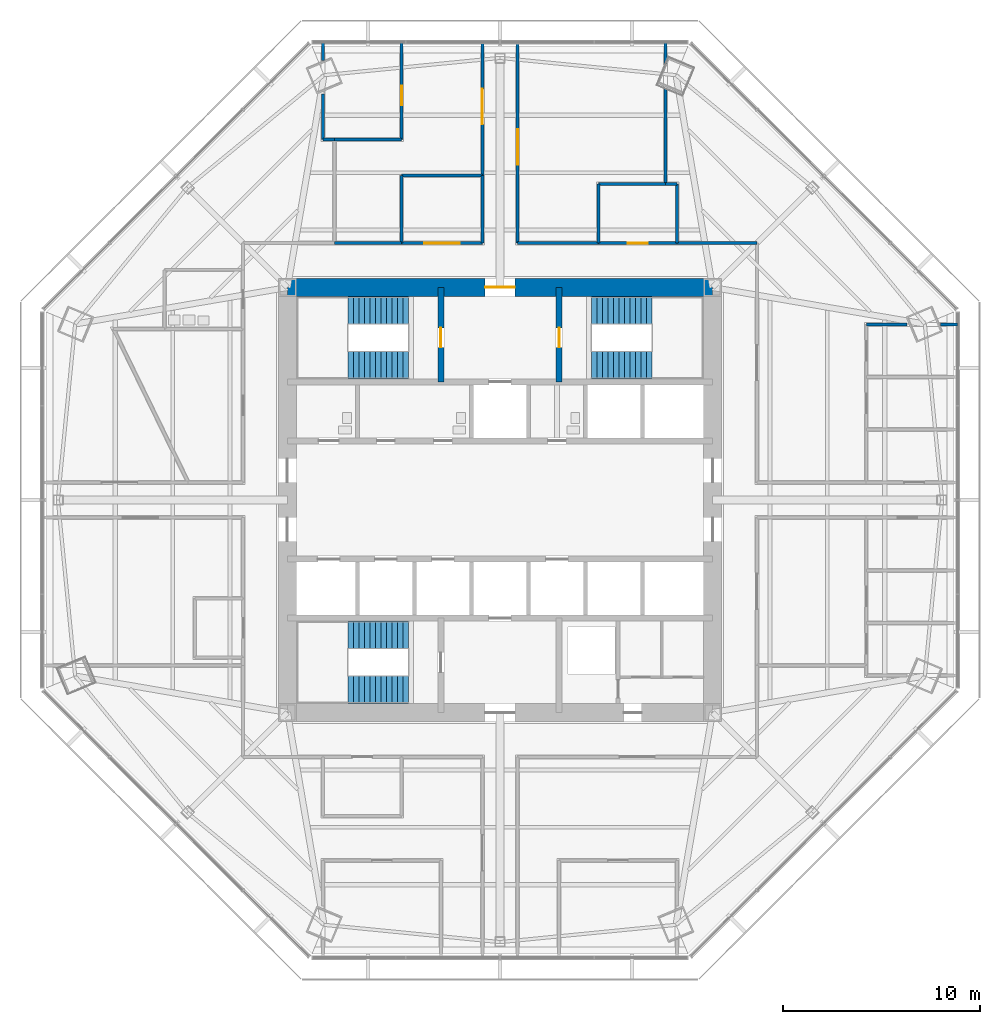
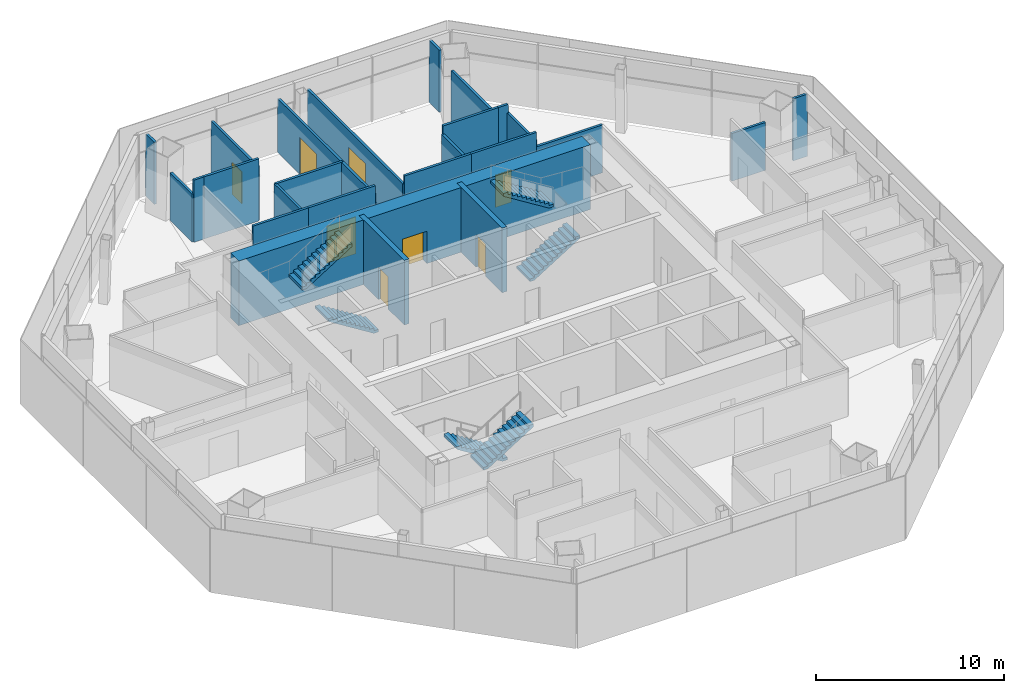
# One storey, part 11 of 15: 26 walls, 8 doors, 6 stair flights, 8 openings, 3 elements without a shape of their own.
"""IFC4 building model written with IfcOpenShell, lengths in metres."""

from ifc_helpers import new_model, si_unit, direction, frame, frame_2d, origin, place, context, subcontext, project, spatial, polyline, rectangle, outline, extrude, material, layer, layer_set, type_object, element, fill, aggregate, save


model = new_model("IFC4")

# Units and contexts
model_context = context("Model", 3, precision=1e-05, world=origin(), true_north=direction((0.0, 1.0)))
body_context = subcontext(model_context, "Body", "Model", "MODEL_VIEW")
ifc_project = project(units=[si_unit("LENGTHUNIT", "METRE"), si_unit("AREAUNIT", "SQUARE_METRE"), si_unit("VOLUMEUNIT", "CUBIC_METRE"), si_unit("PLANEANGLEUNIT", "RADIAN"), si_unit("MASSUNIT", "GRAM", prefix="KILO")], contexts=[model_context])

# Site, building, storey
site_placement = place(None, origin())
site = spatial("IfcSite", under=ifc_project, at=site_placement, CompositionType="ELEMENT")
building_placement = place(site_placement, origin())
building = spatial("IfcBuilding", under=site, at=building_placement, Name="Mashrafa Tower", CompositionType="ELEMENT")
storey_placement = place(building_placement, frame((0.0, 0.0, 168.0)))
storey = spatial("IfcBuildingStorey", under=building, at=storey_placement, Name="L38", CompositionType="ELEMENT", Elevation=168.0)

# Wall, opening, door
ifc_material_1 = material(Name="Concrete C60/75", Category="concrete")
ifc_layer_1 = layer(ifc_material_1, 0.300048828125)
ifc_layer_set_1 = layer_set([ifc_layer_1], Name="Core wall 300 C60/75")
wall_type_1 = type_object("IfcWallType", Name="Core wall 300 C60/75", PredefinedType="SOLIDWALL", material=ifc_layer_set_1)
wall_1_placement = place(storey_placement, frame((-3.0, 6.0, 0.0), z_axis=(0.0, 0.0, 1.0), x_axis=(0.0, 1.0, 0.0)))
wall_1 = element("IfcWall", 1, at=wall_1_placement, inside=storey, type_object=wall_type_1, Name="Core wall CX-NW L38", PredefinedType="SOLIDWALL", context=body_context, shape_type="SweptSolid", body=[
    extrude(rectangle(XDim=4.800048828125, YDim=0.300048828125, at=frame_2d((2.39990234375, 0.0))), origin(), (0.0, 0.0, 1.0), 4.199951171875),
])
opening_1_placement = place(wall_1_placement, frame((1.75, 0.0, 0.0)))
opening_1 = element("IfcOpeningElement", 2, at=opening_1_placement, cuts=wall_1, Name="Opening 38.030", PredefinedType="OPENING", context=body_context, shape_type="SweptSolid", body=[
    extrude(rectangle(XDim=1.0, YDim=2.10009765625, at=frame_2d((0.5, 1.050048828125))), frame((0.0, 0.159912109375, 0.0), z_axis=(0.0, -1.0, 0.0), x_axis=(1.0, 0.0, 0.0)), (0.0, 0.0, 1.0), 0.320068359375),
])
ifc_material_2 = material(Name="Steel door", Category="steel")
door_type_1 = type_object("IfcDoorType", Name="Stair door 1000 x 2100 90 min", OperationType="USERDEFINED", PredefinedType="DOOR", material=ifc_material_2)
door_1_placement = place(opening_1_placement, origin())
door_1 = element("IfcDoor", 3, at=door_1_placement, inside=storey, type_object=door_type_1, Name="Stair S1 door L38", OperationType="SINGLE_SWING_LEFT", OverallHeight=2.10009765625, OverallWidth=1.0, PredefinedType="DOOR", context=body_context, shape_type="SweptSolid", body=[
    extrude(rectangle(XDim=1.0, YDim=2.10009765625, at=frame_2d((0.5, 1.050048828125))), frame((0.0, 0.02490234375, 0.0), z_axis=(0.0, -1.0, 0.0), x_axis=(1.0, 0.0, 0.0)), (0.0, 0.0, 1.0), 0.050048828125),
])
fill(opening_1, door_1)

wall_2_placement = place(storey_placement, frame((3.0, 6.0, 0.0), z_axis=(0.0, 0.0, 1.0), x_axis=(0.0, 1.0, 0.0)))
wall_2 = element("IfcWall", 4, at=wall_2_placement, inside=storey, type_object=wall_type_1, Name="Core wall CX-NE L38", PredefinedType="SOLIDWALL", context=body_context, shape_type="SweptSolid", body=[
    extrude(rectangle(XDim=4.800048828125, YDim=0.300048828125, at=frame_2d((2.39990234375, 0.0))), origin(), (0.0, 0.0, 1.0), 4.199951171875),
])
opening_2_placement = place(wall_2_placement, frame((1.75, 0.0, 0.0)))
opening_2 = element("IfcOpeningElement", 5, at=opening_2_placement, cuts=wall_2, Name="Opening 38.031", PredefinedType="OPENING", context=body_context, shape_type="SweptSolid", body=[
    extrude(rectangle(XDim=1.0, YDim=2.10009765625, at=frame_2d((0.5, 1.050048828125))), frame((0.0, 0.159912109375, 0.0), z_axis=(0.0, -1.0, 0.0), x_axis=(1.0, 0.0, 0.0)), (0.0, 0.0, 1.0), 0.320068359375),
])
door_2_placement = place(opening_2_placement, frame((1.0, 0.0, 0.0), z_axis=(0.0, 0.0, 1.0), x_axis=(-1.0, 0.0, 0.0)))
door_2 = element("IfcDoor", 6, at=door_2_placement, inside=storey, type_object=door_type_1, Name="Stair S2 door L38", OperationType="SINGLE_SWING_RIGHT", OverallHeight=2.10009765625, OverallWidth=1.0, PredefinedType="DOOR", context=body_context, shape_type="SweptSolid", body=[
    extrude(rectangle(XDim=1.0, YDim=2.10009765625, at=frame_2d((0.5, 1.050048828125))), frame((0.0, 0.02490234375, 0.0), z_axis=(0.0, -1.0, 0.0), x_axis=(1.0, 0.0, 0.0)), (0.0, 0.0, 1.0), 0.050048828125),
])
fill(opening_2, door_2)

ifc_material_3 = material(Name="Concrete C60/75", Category="concrete")
ifc_layer_2 = layer(ifc_material_3, 0.89990234375)
ifc_layer_set_2 = layer_set([ifc_layer_2], Name="Core wall 900 C60/75")
wall_type_2 = type_object("IfcWallType", Name="Core wall 900 C60/75", PredefinedType="SOLIDWALL", material=ifc_layer_set_2)
wall_3_placement = place(storey_placement, frame((10.800048828125, 10.800048828125, 0.0), z_axis=(0.0, 0.0, 1.0), x_axis=(-1.0, 0.0, 0.0)))
wall_3 = element("IfcWall", 7, at=wall_3_placement, inside=storey, type_object=wall_type_2, Name="Core wall CW-N L38", PredefinedType="SOLIDWALL", context=body_context, shape_type="SweptSolid", body=[
    extrude(rectangle(XDim=21.60009765625, YDim=0.89990234375, at=frame_2d((10.800048828125, 0.0))), origin(), (0.0, 0.0, 1.0), 4.199951171875),
])
opening_3_placement = place(wall_3_placement, frame((10.050048828125, 0.0, 0.0)))
opening_3 = element("IfcOpeningElement", 8, at=opening_3_placement, cuts=wall_3, Name="Opening 38.028", PredefinedType="OPENING", context=body_context, shape_type="SweptSolid", body=[
    extrude(rectangle(XDim=1.5, YDim=2.10009765625, at=frame_2d((0.75, 1.050048828125))), frame((0.0, 0.4599609375, 0.0), z_axis=(0.0, -1.0, 0.0), x_axis=(1.0, 0.0, 0.0)), (0.0, 0.0, 1.0), 0.919921875),
])
ifc_material_4 = material(Name="Steel door", Category="steel")
door_type_2 = type_object("IfcDoorType", Name="Lobby door pair 1500 x 2100 90 min", OperationType="DOUBLE_DOOR_SINGLE_SWING", PredefinedType="DOOR", material=ifc_material_4)
door_3_placement = place(opening_3_placement, origin())
door_3 = element("IfcDoor", 9, at=door_3_placement, inside=storey, type_object=door_type_2, Name="Fire-fighting lobby F1 door L38", OperationType="DOUBLE_DOOR_SINGLE_SWING", OverallHeight=2.10009765625, OverallWidth=1.5, PredefinedType="DOOR", context=body_context, shape_type="SweptSolid", body=[
    extrude(rectangle(XDim=1.5, YDim=2.10009765625, at=frame_2d((0.75, 1.050048828125))), frame((0.0, 0.02490234375, 0.0), z_axis=(0.0, -1.0, 0.0), x_axis=(1.0, 0.0, 0.0)), (0.0, 0.0, 1.0), 0.050048828125),
])
fill(opening_3, door_3)

# Wall
ifc_material_5 = material(Name="Gypsum board on steel studs", Category="steel")
ifc_layer_3 = layer(ifc_material_5, 0.14990234375)
ifc_layer_set_3 = layer_set([ifc_layer_3], Name="Corridor partition 150 1 hr")
wall_type_3 = type_object("IfcWallType", Name="Corridor partition 150 1 hr", PredefinedType="PARTITIONING", material=ifc_layer_set_3)
wall_4_placement = place(storey_placement, frame((-0.89990234375, 16.5009765625, 0.0), z_axis=(0.0, 0.0, 1.0), x_axis=(0.0, -1.0, 0.0)))
element("IfcWall", 10, at=wall_4_placement, inside=storey, type_object=wall_type_3, Name="Corridor wall L38-004", PredefinedType="PARTITIONING", context=body_context, shape_type="SweptSolid", body=[
    extrude(rectangle(XDim=3.450927734375, YDim=0.14990234375, at=frame_2d((1.7255859375, 0.0))), origin(), (0.0, 0.0, 1.0), 3.49169921875),
])

# Wall, opening, door
wall_5_placement = place(storey_placement, frame((-0.89990234375, 13.050048828125, 0.0), z_axis=(0.0, 0.0, 1.0), x_axis=(-1.0, 0.0, 0.0)))
wall_5 = element("IfcWall", 11, at=wall_5_placement, inside=storey, type_object=wall_type_3, Name="Corridor wall L38-005", PredefinedType="PARTITIONING", context=body_context, shape_type="SweptSolid", body=[
    extrude(rectangle(XDim=4.10107421875, YDim=0.14990234375, at=frame_2d((2.050537109375, 0.0))), origin(), (0.0, 0.0, 1.0), 4.034912109375),
])
opening_4_placement = place(wall_5_placement, frame((1.150390625, 0.0, 0.0)))
opening_4 = element("IfcOpeningElement", 12, at=opening_4_placement, cuts=wall_5, Name="Opening 38.003", PredefinedType="OPENING", context=body_context, shape_type="SweptSolid", body=[
    extrude(rectangle(XDim=1.800048828125, YDim=2.39990234375, at=frame_2d((0.89990234375, 1.199951171875))), frame((0.0, 0.0849609375, 0.0), z_axis=(0.0, -1.0, 0.0), x_axis=(1.0, 0.0, 0.0)), (0.0, 0.0, 1.0), 0.169921875),
])
ifc_material_6 = material(Name="Steel door", Category="steel")
door_type_3 = type_object("IfcDoorType", Name="Door pair 1800 x 2400 90 min", OperationType="DOUBLE_DOOR_SINGLE_SWING", PredefinedType="DOOR", material=ifc_material_6)
door_4_placement = place(opening_4_placement, origin())
door_4 = element("IfcDoor", 13, at=door_4_placement, inside=storey, type_object=door_type_3, Name="Reception 38-1 door", OperationType="DOUBLE_DOOR_SINGLE_SWING", OverallHeight=2.39990234375, OverallWidth=1.800048828125, PredefinedType="DOOR", context=body_context, shape_type="SweptSolid", body=[
    extrude(rectangle(XDim=1.800048828125, YDim=2.39990234375, at=frame_2d((0.89990234375, 1.199951171875))), frame((0.0, 0.02490234375, 0.0), z_axis=(0.0, -1.0, 0.0), x_axis=(1.0, 0.0, 0.0)), (0.0, 0.0, 1.0), 0.050048828125),
])
fill(opening_4, door_4)

wall_6_placement = place(storey_placement, frame((9.0009765625, 13.050048828125, 0.0), z_axis=(0.0, 0.0, 1.0), x_axis=(-1.0, 0.0, 0.0)))
wall_6 = element("IfcWall", 14, at=wall_6_placement, inside=storey, type_object=wall_type_3, Name="Corridor wall L38-006", PredefinedType="PARTITIONING", context=body_context, shape_type="SweptSolid", body=[
    extrude(rectangle(XDim=4.001953125, YDim=0.14990234375, at=frame_2d((2.0009765625, 0.0))), origin(), (0.0, 0.0, 1.0), 4.034912109375),
])
opening_5_placement = place(wall_6_placement, frame((1.5009765625, 0.0, 0.0)))
opening_5 = element("IfcOpeningElement", 15, at=opening_5_placement, cuts=wall_6, Name="Opening 38.005", PredefinedType="OPENING", context=body_context, shape_type="SweptSolid", body=[
    extrude(rectangle(XDim=1.0, YDim=2.10009765625, at=frame_2d((0.5, 1.050048828125))), frame((0.0, 0.0849609375, 0.0), z_axis=(0.0, -1.0, 0.0), x_axis=(1.0, 0.0, 0.0)), (0.0, 0.0, 1.0), 0.169921875),
])
ifc_material_7 = material(Name="Timber door", Category="wood")
door_type_4 = type_object("IfcDoorType", Name="Door 1000 x 2100", OperationType="USERDEFINED", PredefinedType="DOOR", material=ifc_material_7)
door_5_placement = place(opening_5_placement, frame((1.0, 0.0, 0.0), z_axis=(0.0, 0.0, 1.0), x_axis=(-1.0, 0.0, 0.0)))
door_5 = element("IfcDoor", 16, at=door_5_placement, inside=storey, type_object=door_type_4, Name="Pantry 38-1 door", OperationType="SINGLE_SWING_RIGHT", OverallHeight=2.10009765625, OverallWidth=1.0, PredefinedType="DOOR", context=body_context, shape_type="SweptSolid", body=[
    extrude(rectangle(XDim=1.0, YDim=2.10009765625, at=frame_2d((0.5, 1.050048828125))), frame((0.0, 0.02490234375, 0.0), z_axis=(0.0, -1.0, 0.0), x_axis=(1.0, 0.0, 0.0)), (0.0, 0.0, 1.0), 0.050048828125),
])
fill(opening_5, door_5)

# Walls
wall_7_placement = place(storey_placement, frame((13.050048828125, 13.050048828125, 0.0), z_axis=(0.0, 0.0, 1.0), x_axis=(-1.0, 0.0, 0.0)))
element("IfcWall", 17, at=wall_7_placement, inside=storey, type_object=wall_type_3, Name="Corridor wall L38-013", PredefinedType="PARTITIONING", context=body_context, shape_type="SweptSolid", body=[
    extrude(rectangle(XDim=4.051025390625, YDim=0.14990234375, at=frame_2d((2.025390625, 0.0))), origin(), (0.0, 0.0, 1.0), 3.097900390625),
])
wall_8_placement = place(storey_placement, frame((5.0009765625, 13.050048828125, 0.0), z_axis=(0.0, 0.0, 1.0), x_axis=(-1.0, 0.0, 0.0)))
element("IfcWall", 18, at=wall_8_placement, inside=storey, type_object=wall_type_3, Name="Corridor wall L38-014", PredefinedType="PARTITIONING", context=body_context, shape_type="SweptSolid", body=[
    extrude(rectangle(XDim=4.10107421875, YDim=0.14990234375, at=frame_2d((2.050537109375, 0.0))), origin(), (0.0, 0.0, 1.0), 4.034912109375),
])

# Wall, opening, door
wall_9_placement = place(storey_placement, frame((0.89990234375, 13.050048828125, 0.0), z_axis=(0.0, 0.0, 1.0), x_axis=(0.0, 1.0, 0.0)))
wall_9 = element("IfcWall", 19, at=wall_9_placement, inside=storey, type_object=wall_type_3, Name="Corridor wall L38-015", PredefinedType="PARTITIONING", context=body_context, shape_type="SweptSolid", body=[
    extrude(rectangle(XDim=10.196044921875, YDim=0.14990234375, at=frame_2d((5.09814453125, 0.0))), origin(), (0.0, 0.0, 1.0), 3.49169921875),
])
opening_6_placement = place(wall_9_placement, frame((3.981201171875, 0.0, 0.0)))
opening_6 = element("IfcOpeningElement", 20, at=opening_6_placement, cuts=wall_9, Name="Opening 38.017", PredefinedType="OPENING", context=body_context, shape_type="SweptSolid", body=[
    extrude(rectangle(XDim=1.800048828125, YDim=2.39990234375, at=frame_2d((0.89990234375, 1.199951171875))), frame((0.0, 0.0849609375, 0.0), z_axis=(0.0, -1.0, 0.0), x_axis=(1.0, 0.0, 0.0)), (0.0, 0.0, 1.0), 0.169921875),
])
ifc_material_8 = material(Name="Timber door", Category="wood")
door_type_5 = type_object("IfcDoorType", Name="Door pair 1800 x 2400", OperationType="DOUBLE_DOOR_SINGLE_SWING", PredefinedType="DOOR", material=ifc_material_8)
door_6_placement = place(opening_6_placement, frame((1.800048828125, 0.0, 0.0), z_axis=(0.0, 0.0, 1.0), x_axis=(-1.0, 0.0, 0.0)))
door_6 = element("IfcDoor", 21, at=door_6_placement, inside=storey, type_object=door_type_5, Name="Office Tenancy 38-2-NE2 door", OperationType="DOUBLE_DOOR_SINGLE_SWING", OverallHeight=2.39990234375, OverallWidth=1.800048828125, PredefinedType="DOOR", context=body_context, shape_type="SweptSolid", body=[
    extrude(rectangle(XDim=1.800048828125, YDim=2.39990234375, at=frame_2d((0.89990234375, 1.199951171875))), frame((0.0, 0.02490234375, 0.0), z_axis=(0.0, -1.0, 0.0), x_axis=(1.0, 0.0, 0.0)), (0.0, 0.0, 1.0), 0.050048828125),
])
fill(opening_6, door_6)

# Wall
wall_10_placement = place(storey_placement, frame((-4.9990234375, 13.050048828125, 0.0), z_axis=(0.0, 0.0, 1.0), x_axis=(-1.0, 0.0, 0.0)))
element("IfcWall", 22, at=wall_10_placement, inside=storey, type_object=wall_type_3, Name="Corridor wall L38-019", PredefinedType="PARTITIONING", context=body_context, shape_type="SweptSolid", body=[
    extrude(rectangle(XDim=3.40185546875, YDim=0.14990234375, at=frame_2d((1.700927734375, 0.0))), origin(), (0.0, 0.0, 1.0), 4.034912109375),
])

# Wall, opening, door
wall_11_placement = place(storey_placement, frame((-0.89990234375, 23.24609375, 0.0), z_axis=(0.0, 0.0, 1.0), x_axis=(0.0, -1.0, 0.0)))
wall_11 = element("IfcWall", 23, at=wall_11_placement, inside=storey, type_object=wall_type_3, Name="Corridor wall L38-020", PredefinedType="PARTITIONING", context=body_context, shape_type="SweptSolid", body=[
    extrude(rectangle(XDim=6.7470703125, YDim=0.14990234375, at=frame_2d((3.37353515625, 0.0))), origin(), (0.0, 0.0, 1.0), 3.49169921875),
])
opening_7_placement = place(wall_11_placement, frame((2.355712890625, 0.0, 0.0)))
opening_7 = element("IfcOpeningElement", 24, at=opening_7_placement, cuts=wall_11, Name="Opening 38.019", PredefinedType="OPENING", context=body_context, shape_type="SweptSolid", body=[
    extrude(rectangle(XDim=1.800048828125, YDim=2.39990234375, at=frame_2d((0.89990234375, 1.199951171875))), frame((0.0, 0.0849609375, 0.0), z_axis=(0.0, -1.0, 0.0), x_axis=(1.0, 0.0, 0.0)), (0.0, 0.0, 1.0), 0.169921875),
])
door_7_placement = place(opening_7_placement, frame((1.800048828125, 0.0, 0.0), z_axis=(0.0, 0.0, 1.0), x_axis=(-1.0, 0.0, 0.0)))
door_7 = element("IfcDoor", 25, at=door_7_placement, inside=storey, type_object=door_type_5, Name="Office Tenancy 38-1-NW2 door", OperationType="DOUBLE_DOOR_SINGLE_SWING", OverallHeight=2.39990234375, OverallWidth=1.800048828125, PredefinedType="DOOR", context=body_context, shape_type="SweptSolid", body=[
    extrude(rectangle(XDim=1.800048828125, YDim=2.39990234375, at=frame_2d((0.89990234375, 1.199951171875))), frame((0.0, 0.02490234375, 0.0), z_axis=(0.0, -1.0, 0.0), x_axis=(1.0, 0.0, 0.0)), (0.0, 0.0, 1.0), 0.050048828125),
])
fill(opening_7, door_7)

# Walls
wall_12_placement = place(storey_placement, frame((-0.89990234375, 16.5, 0.0), z_axis=(0.0, 0.0, 1.0), x_axis=(-1.0, 0.0, 0.0)))
element("IfcWall", 26, at=wall_12_placement, inside=storey, type_object=wall_type_3, Name="Corridor wall L38-038", PredefinedType="PARTITIONING", context=body_context, shape_type="SweptSolid", body=[
    extrude(rectangle(XDim=4.10009765625, YDim=0.14990234375, at=frame_2d((2.050048828125, 0.0))), origin(), (0.0, 0.0, 1.0), 3.499267578125),
])
wall_13_placement = place(storey_placement, frame((-5.0, 16.5, 0.0), z_axis=(0.0, 0.0, 1.0), x_axis=(0.0, -1.0, 0.0)))
element("IfcWall", 27, at=wall_13_placement, inside=storey, type_object=wall_type_3, Name="Corridor wall L38-039", PredefinedType="PARTITIONING", context=body_context, shape_type="SweptSolid", body=[
    extrude(rectangle(XDim=3.449951171875, YDim=0.14990234375, at=frame_2d((1.72509765625, 0.0))), origin(), (0.0, 0.0, 1.0), 3.49169921875),
])
ifc_material_9 = material(Name="Gypsum board on steel studs", Category="steel")
ifc_layer_4 = layer(ifc_material_9, 0.14990234375)
ifc_layer_set_4 = layer_set([ifc_layer_4], Name="Partition 150")
wall_type_4 = type_object("IfcWallType", Name="Partition 150", PredefinedType="PARTITIONING", material=ifc_layer_set_4)
wall_14_placement = place(storey_placement, frame((-9.0, 23.244140625, 0.0), z_axis=(0.0, 0.0, 1.0), x_axis=(0.0, -1.0, 0.0)))
element("IfcWall", 28, at=wall_14_placement, inside=storey, type_object=wall_type_4, Name="Partition wall L38-040", PredefinedType="PARTITIONING", context=body_context, shape_type="SweptSolid", body=[
    extrude(rectangle(XDim=0.90625, YDim=0.14990234375, at=frame_2d((0.453125, 0.0))), origin(), (0.0, 0.0, 1.0), 4.034912109375),
])
wall_15_placement = place(storey_placement, frame((-9.0, 20.6416015625, 0.0), z_axis=(0.0, 0.0, 1.0), x_axis=(0.0, -1.0, 0.0)))
element("IfcWall", 29, at=wall_15_placement, inside=storey, type_object=wall_type_4, Name="Partition wall L38-041", PredefinedType="PARTITIONING", context=body_context, shape_type="SweptSolid", body=[
    extrude(rectangle(XDim=2.329345703125, YDim=0.14990234375, at=frame_2d((1.16455078125, 0.0))), origin(), (0.0, 0.0, 1.0), 3.097900390625),
])
wall_16_placement = place(storey_placement, frame((-9.0, 18.312255859375, 0.0), z_axis=(0.0, 0.0, 1.0), x_axis=(1.0, 0.0, 0.0)))
element("IfcWall", 30, at=wall_16_placement, inside=storey, type_object=wall_type_4, Name="Partition wall L38-042", PredefinedType="PARTITIONING", context=body_context, shape_type="SweptSolid", body=[
    extrude(rectangle(XDim=0.60107421875, YDim=0.14990234375, at=frame_2d((0.300537109375, 0.0))), origin(), (0.0, 0.0, 1.0), 4.034912109375),
])
wall_17_placement = place(storey_placement, frame((-8.40087890625, 18.312255859375, 0.0), z_axis=(0.0, 0.0, 1.0), x_axis=(1.0, 0.0, 0.0)))
element("IfcWall", 31, at=wall_17_placement, inside=storey, type_object=wall_type_4, Name="Partition wall L38-043", PredefinedType="PARTITIONING", context=body_context, shape_type="SweptSolid", body=[
    extrude(rectangle(XDim=3.40087890625, YDim=0.14990234375, at=frame_2d((1.700439453125, 0.0))), origin(), (0.0, 0.0, 1.0), 4.034912109375),
])

# Wall, opening, door
wall_18_placement = place(storey_placement, frame((-5.0, 18.312255859375, 0.0), z_axis=(0.0, 0.0, 1.0), x_axis=(0.0, 1.0, 0.0)))
wall_18 = element("IfcWall", 32, at=wall_18_placement, inside=storey, type_object=wall_type_4, Name="Partition wall L38-044", PredefinedType="PARTITIONING", context=body_context, shape_type="SweptSolid", body=[
    extrude(rectangle(XDim=4.933837890625, YDim=0.14990234375, at=frame_2d((2.466796875, 0.0))), origin(), (0.0, 0.0, 1.0), 3.49169921875),
])
opening_8_placement = place(wall_18_placement, frame((1.75, 0.0, 0.0)))
opening_8 = element("IfcOpeningElement", 33, at=opening_8_placement, cuts=wall_18, Name="Opening 38.004", PredefinedType="OPENING", context=body_context, shape_type="SweptSolid", body=[
    extrude(rectangle(XDim=1.0, YDim=2.10009765625, at=frame_2d((0.5, 1.050048828125))), frame((0.0, 0.0849609375, 0.0), z_axis=(0.0, -1.0, 0.0), x_axis=(1.0, 0.0, 0.0)), (0.0, 0.0, 1.0), 0.169921875),
])
door_8_placement = place(opening_8_placement, origin())
door_8 = element("IfcDoor", 34, at=door_8_placement, inside=storey, type_object=door_type_4, Name="Meeting Room 38-1-NW2 door", OperationType="SINGLE_SWING_LEFT", OverallHeight=2.10009765625, OverallWidth=1.0, PredefinedType="DOOR", context=body_context, shape_type="SweptSolid", body=[
    extrude(rectangle(XDim=1.0, YDim=2.10009765625, at=frame_2d((0.5, 1.050048828125))), frame((0.0, 0.02490234375, 0.0), z_axis=(0.0, -1.0, 0.0), x_axis=(1.0, 0.0, 0.0)), (0.0, 0.0, 1.0), 0.050048828125),
])
fill(opening_8, door_8)

# Walls
wall_19_placement = place(storey_placement, frame((9.0, 13.050048828125, 0.0), z_axis=(0.0, 0.0, 1.0), x_axis=(0.0, 1.0, 0.0)))
element("IfcWall", 35, at=wall_19_placement, inside=storey, type_object=wall_type_4, Name="Partition wall L38-045", PredefinedType="PARTITIONING", context=body_context, shape_type="SweptSolid", body=[
    extrude(rectangle(XDim=3.0, YDim=0.14990234375, at=frame_2d((1.5, 0.0))), origin(), (0.0, 0.0, 1.0), 3.49169921875),
])
wall_20_placement = place(storey_placement, frame((9.0, 16.050048828125, 0.0), z_axis=(0.0, 0.0, 1.0), x_axis=(-1.0, 0.0, 0.0)))
element("IfcWall", 36, at=wall_20_placement, inside=storey, type_object=wall_type_4, Name="Partition wall L38-046", PredefinedType="PARTITIONING", context=body_context, shape_type="SweptSolid", body=[
    extrude(rectangle(XDim=0.60107421875, YDim=0.14990234375, at=frame_2d((0.300537109375, 0.0))), origin(), (0.0, 0.0, 1.0), 4.034912109375),
])
wall_21_placement = place(storey_placement, frame((8.40087890625, 16.050048828125, 0.0), z_axis=(0.0, 0.0, 1.0), x_axis=(-1.0, 0.0, 0.0)))
element("IfcWall", 37, at=wall_21_placement, inside=storey, type_object=wall_type_4, Name="Partition wall L38-047", PredefinedType="PARTITIONING", context=body_context, shape_type="SweptSolid", body=[
    extrude(rectangle(XDim=3.40087890625, YDim=0.14990234375, at=frame_2d((1.700439453125, 0.0))), origin(), (0.0, 0.0, 1.0), 4.034912109375),
])
wall_22_placement = place(storey_placement, frame((5.0, 16.050048828125, 0.0), z_axis=(0.0, 0.0, 1.0), x_axis=(0.0, -1.0, 0.0)))
element("IfcWall", 38, at=wall_22_placement, inside=storey, type_object=wall_type_4, Name="Partition wall L38-048", PredefinedType="PARTITIONING", context=body_context, shape_type="SweptSolid", body=[
    extrude(rectangle(XDim=3.0, YDim=0.14990234375, at=frame_2d((1.5, 0.0))), origin(), (0.0, 0.0, 1.0), 3.49169921875),
])
wall_23_placement = place(storey_placement, frame((23.244140625, 8.916015625, 0.0), z_axis=(0.0, 0.0, 1.0), x_axis=(-1.0, 0.0, 0.0)))
element("IfcWall", 39, at=wall_23_placement, inside=storey, type_object=wall_type_4, Name="Partition wall L38-067", PredefinedType="PARTITIONING", context=body_context, shape_type="SweptSolid", body=[
    extrude(rectangle(XDim=0.871337890625, YDim=0.14990234375, at=frame_2d((0.435546875, 0.0))), origin(), (0.0, 0.0, 1.0), 4.034912109375),
])
wall_24_placement = place(storey_placement, frame((20.67626953125, 8.916015625, 0.0), z_axis=(0.0, 0.0, 1.0), x_axis=(-1.0, 0.0, 0.0)))
element("IfcWall", 40, at=wall_24_placement, inside=storey, type_object=wall_type_4, Name="Partition wall L38-068", PredefinedType="PARTITIONING", context=body_context, shape_type="SweptSolid", body=[
    extrude(rectangle(XDim=2.06396484375, YDim=0.14990234375, at=frame_2d((1.031982421875, 0.0))), origin(), (0.0, 0.0, 1.0), 3.097900390625),
])
wall_25_placement = place(storey_placement, frame((8.39990234375, 23.244140625, 0.0), z_axis=(0.0, 0.0, 1.0), x_axis=(0.0, -1.0, 0.0)))
element("IfcWall", 41, at=wall_25_placement, inside=storey, type_object=wall_type_4, Name="Partition wall L38-078", PredefinedType="PARTITIONING", context=body_context, shape_type="SweptSolid", body=[
    extrude(rectangle(XDim=1.0859375, YDim=0.14990234375, at=frame_2d((0.54296875, 0.0))), origin(), (0.0, 0.0, 1.0), 4.034912109375),
])
wall_26_placement = place(storey_placement, frame((8.39990234375, 20.89013671875, 0.0), z_axis=(0.0, 0.0, 1.0), x_axis=(0.0, -1.0, 0.0)))
element("IfcWall", 42, at=wall_26_placement, inside=storey, type_object=wall_type_4, Name="Partition wall L38-079", PredefinedType="PARTITIONING", context=body_context, shape_type="SweptSolid", body=[
    extrude(rectangle(XDim=4.840087890625, YDim=0.14990234375, at=frame_2d((2.419921875, 0.0))), origin(), (0.0, 0.0, 1.0), 3.49169921875),
])

# Stair, stair flights
ifc_material_10 = material(Name="Exit stair 1400")
stair_type = type_object("IfcStairType", Name="Exit stair 1400", PredefinedType="HALF_TURN_STAIR", material=ifc_material_10)
stair_1_placement = place(storey_placement, origin())
stair_1 = element("IfcStair", 43, at=stair_1_placement, inside=storey, type_object=stair_type, Name="Stair S1 L38", PredefinedType="HALF_TURN_STAIR")
ifc_material_11 = material(Name="Concrete C32/40", Category="concrete")
stair_flight_type = type_object("IfcStairFlightType", Name="Stair flight 1400", PredefinedType="STRAIGHT", material=ifc_material_11)
stair_flight_1_placement = place(storey_placement, frame((-4.64990234375, 6.85009765625, 0.0), z_axis=(0.0, 0.0, 1.0), x_axis=(-1.0, 0.0, 0.0)))
stair_flight_1 = element("IfcStairFlight", 44, at=stair_flight_1_placement, type_object=stair_flight_type, Name="S1 flight 1", NumberOfRisers=12, NumberOfTreads=11, PredefinedType="STRAIGHT", RiserHeight=0.175, TreadLength=0.28, context=body_context, shape_type="SweptSolid", body=[
    extrude(outline(polyline([(0.0, 0.0), (0.0, 0.175048828125), (0.280029296875, 0.175048828125), (0.280029296875, 0.35009765625), (0.56005859375, 0.35009765625), (0.56005859375, 0.52490234375), (0.840087890625, 0.52490234375), (0.840087890625, 0.699951171875), (1.1201171875, 0.699951171875), (1.1201171875, 0.875), (1.39990234375, 0.875), (1.39990234375, 1.050048828125), (1.679931640625, 1.050048828125), (1.679931640625, 1.22509765625), (1.9599609375, 1.22509765625), (1.9599609375, 1.39990234375), (2.239990234375, 1.39990234375), (2.239990234375, 1.574951171875), (2.52001953125, 1.574951171875), (2.52001953125, 1.75), (2.800048828125, 1.75), (2.800048828125, 1.925048828125), (3.080078125, 1.925048828125), (3.080078125, 2.10009765625), (3.080078125, 1.748291015625), (0.28271484375, 0.0), (0.0, 0.0)])), frame((0.0, 0.699951171875, 0.0), z_axis=(0.0, -1.0, 0.0), x_axis=(1.0, 0.0, 0.0)), (0.0, 0.0, 1.0), 1.39990234375),
])
stair_flight_2_placement = place(storey_placement, frame((-7.72998046875, 9.64990234375, 2.10009765625), z_axis=(0.0, 0.0, 1.0), x_axis=(1.0, 0.0, 0.0)))
stair_flight_2 = element("IfcStairFlight", 45, at=stair_flight_2_placement, type_object=stair_flight_type, Name="S1 flight 2", NumberOfRisers=12, NumberOfTreads=11, PredefinedType="STRAIGHT", RiserHeight=0.175, TreadLength=0.28, context=body_context, shape_type="SweptSolid", body=[
    extrude(outline(polyline([(0.0, 0.0), (0.0, 0.175048828125), (0.280029296875, 0.175048828125), (0.280029296875, 0.35009765625), (0.56005859375, 0.35009765625), (0.56005859375, 0.52490234375), (0.840087890625, 0.52490234375), (0.840087890625, 0.699951171875), (1.1201171875, 0.699951171875), (1.1201171875, 0.875), (1.39990234375, 0.875), (1.39990234375, 1.050048828125), (1.679931640625, 1.050048828125), (1.679931640625, 1.22509765625), (1.9599609375, 1.22509765625), (1.9599609375, 1.39990234375), (2.239990234375, 1.39990234375), (2.239990234375, 1.574951171875), (2.52001953125, 1.574951171875), (2.52001953125, 1.75), (2.800048828125, 1.75), (2.800048828125, 1.925048828125), (3.080078125, 1.925048828125), (3.080078125, 2.10009765625), (3.080078125, 1.748291015625), (0.28271484375, 0.0), (0.0, 0.0)])), frame((0.0, 0.699951171875, 0.0), z_axis=(0.0, -1.0, 0.0), x_axis=(1.0, 0.0, 0.0)), (0.0, 0.0, 1.0), 1.39990234375),
])
aggregate(stair_1, [stair_flight_1, stair_flight_2])

stair_2_placement = place(storey_placement, origin())
stair_2 = element("IfcStair", 46, at=stair_2_placement, inside=storey, type_object=stair_type, Name="Stair S2 L38", PredefinedType="HALF_TURN_STAIR")
stair_flight_3_placement = place(storey_placement, frame((4.64990234375, 6.85009765625, 0.0), z_axis=(0.0, 0.0, 1.0), x_axis=(1.0, 0.0, 0.0)))
stair_flight_3 = element("IfcStairFlight", 47, at=stair_flight_3_placement, type_object=stair_flight_type, Name="S2 flight 1", NumberOfRisers=12, NumberOfTreads=11, PredefinedType="STRAIGHT", RiserHeight=0.175, TreadLength=0.28, context=body_context, shape_type="SweptSolid", body=[
    extrude(outline(polyline([(0.0, 0.0), (0.0, 0.175048828125), (0.280029296875, 0.175048828125), (0.280029296875, 0.35009765625), (0.56005859375, 0.35009765625), (0.56005859375, 0.52490234375), (0.840087890625, 0.52490234375), (0.840087890625, 0.699951171875), (1.1201171875, 0.699951171875), (1.1201171875, 0.875), (1.39990234375, 0.875), (1.39990234375, 1.050048828125), (1.679931640625, 1.050048828125), (1.679931640625, 1.22509765625), (1.9599609375, 1.22509765625), (1.9599609375, 1.39990234375), (2.239990234375, 1.39990234375), (2.239990234375, 1.574951171875), (2.52001953125, 1.574951171875), (2.52001953125, 1.75), (2.800048828125, 1.75), (2.800048828125, 1.925048828125), (3.080078125, 1.925048828125), (3.080078125, 2.10009765625), (3.080078125, 1.748291015625), (0.28271484375, 0.0), (0.0, 0.0)])), frame((0.0, 0.699951171875, 0.0), z_axis=(0.0, -1.0, 0.0), x_axis=(1.0, 0.0, 0.0)), (0.0, 0.0, 1.0), 1.39990234375),
])
stair_flight_4_placement = place(storey_placement, frame((7.72998046875, 9.64990234375, 2.10009765625), z_axis=(0.0, 0.0, 1.0), x_axis=(-1.0, 0.0, 0.0)))
stair_flight_4 = element("IfcStairFlight", 48, at=stair_flight_4_placement, type_object=stair_flight_type, Name="S2 flight 2", NumberOfRisers=12, NumberOfTreads=11, PredefinedType="STRAIGHT", RiserHeight=0.175, TreadLength=0.28, context=body_context, shape_type="SweptSolid", body=[
    extrude(outline(polyline([(0.0, 0.0), (0.0, 0.175048828125), (0.280029296875, 0.175048828125), (0.280029296875, 0.35009765625), (0.56005859375, 0.35009765625), (0.56005859375, 0.52490234375), (0.840087890625, 0.52490234375), (0.840087890625, 0.699951171875), (1.1201171875, 0.699951171875), (1.1201171875, 0.875), (1.39990234375, 0.875), (1.39990234375, 1.050048828125), (1.679931640625, 1.050048828125), (1.679931640625, 1.22509765625), (1.9599609375, 1.22509765625), (1.9599609375, 1.39990234375), (2.239990234375, 1.39990234375), (2.239990234375, 1.574951171875), (2.52001953125, 1.574951171875), (2.52001953125, 1.75), (2.800048828125, 1.75), (2.800048828125, 1.925048828125), (3.080078125, 1.925048828125), (3.080078125, 2.10009765625), (3.080078125, 1.748291015625), (0.28271484375, 0.0), (0.0, 0.0)])), frame((0.0, 0.699951171875, 0.0), z_axis=(0.0, -1.0, 0.0), x_axis=(1.0, 0.0, 0.0)), (0.0, 0.0, 1.0), 1.39990234375),
])
aggregate(stair_2, [stair_flight_3, stair_flight_4])

stair_3_placement = place(storey_placement, origin())
stair_3 = element("IfcStair", 49, at=stair_3_placement, inside=storey, type_object=stair_type, Name="Stair S3 L38", PredefinedType="HALF_TURN_STAIR")
stair_flight_5_placement = place(storey_placement, frame((-4.64990234375, -6.85009765625, 0.0), z_axis=(0.0, 0.0, 1.0), x_axis=(-1.0, 0.0, 0.0)))
stair_flight_5 = element("IfcStairFlight", 50, at=stair_flight_5_placement, type_object=stair_flight_type, Name="S3 flight 1", NumberOfRisers=12, NumberOfTreads=11, PredefinedType="STRAIGHT", RiserHeight=0.175, TreadLength=0.28, context=body_context, shape_type="SweptSolid", body=[
    extrude(outline(polyline([(0.0, 0.0), (0.0, 0.175048828125), (0.280029296875, 0.175048828125), (0.280029296875, 0.35009765625), (0.56005859375, 0.35009765625), (0.56005859375, 0.52490234375), (0.840087890625, 0.52490234375), (0.840087890625, 0.699951171875), (1.1201171875, 0.699951171875), (1.1201171875, 0.875), (1.39990234375, 0.875), (1.39990234375, 1.050048828125), (1.679931640625, 1.050048828125), (1.679931640625, 1.22509765625), (1.9599609375, 1.22509765625), (1.9599609375, 1.39990234375), (2.239990234375, 1.39990234375), (2.239990234375, 1.574951171875), (2.52001953125, 1.574951171875), (2.52001953125, 1.75), (2.800048828125, 1.75), (2.800048828125, 1.925048828125), (3.080078125, 1.925048828125), (3.080078125, 2.10009765625), (3.080078125, 1.748291015625), (0.28271484375, 0.0), (0.0, 0.0)])), frame((0.0, 0.699951171875, 0.0), z_axis=(0.0, -1.0, 0.0), x_axis=(1.0, 0.0, 0.0)), (0.0, 0.0, 1.0), 1.39990234375),
])
stair_flight_6_placement = place(storey_placement, frame((-7.72998046875, -9.64990234375, 2.10009765625), z_axis=(0.0, 0.0, 1.0), x_axis=(1.0, 0.0, 0.0)))
stair_flight_6 = element("IfcStairFlight", 51, at=stair_flight_6_placement, type_object=stair_flight_type, Name="S3 flight 2", NumberOfRisers=12, NumberOfTreads=11, PredefinedType="STRAIGHT", RiserHeight=0.175, TreadLength=0.28, context=body_context, shape_type="SweptSolid", body=[
    extrude(outline(polyline([(0.0, 0.0), (0.0, 0.175048828125), (0.280029296875, 0.175048828125), (0.280029296875, 0.35009765625), (0.56005859375, 0.35009765625), (0.56005859375, 0.52490234375), (0.840087890625, 0.52490234375), (0.840087890625, 0.699951171875), (1.1201171875, 0.699951171875), (1.1201171875, 0.875), (1.39990234375, 0.875), (1.39990234375, 1.050048828125), (1.679931640625, 1.050048828125), (1.679931640625, 1.22509765625), (1.9599609375, 1.22509765625), (1.9599609375, 1.39990234375), (2.239990234375, 1.39990234375), (2.239990234375, 1.574951171875), (2.52001953125, 1.574951171875), (2.52001953125, 1.75), (2.800048828125, 1.75), (2.800048828125, 1.925048828125), (3.080078125, 1.925048828125), (3.080078125, 2.10009765625), (3.080078125, 1.748291015625), (0.28271484375, 0.0), (0.0, 0.0)])), frame((0.0, 0.699951171875, 0.0), z_axis=(0.0, -1.0, 0.0), x_axis=(1.0, 0.0, 0.0)), (0.0, 0.0, 1.0), 1.39990234375),
])
aggregate(stair_3, [stair_flight_5, stair_flight_6])

save(model, "model.ifc")
